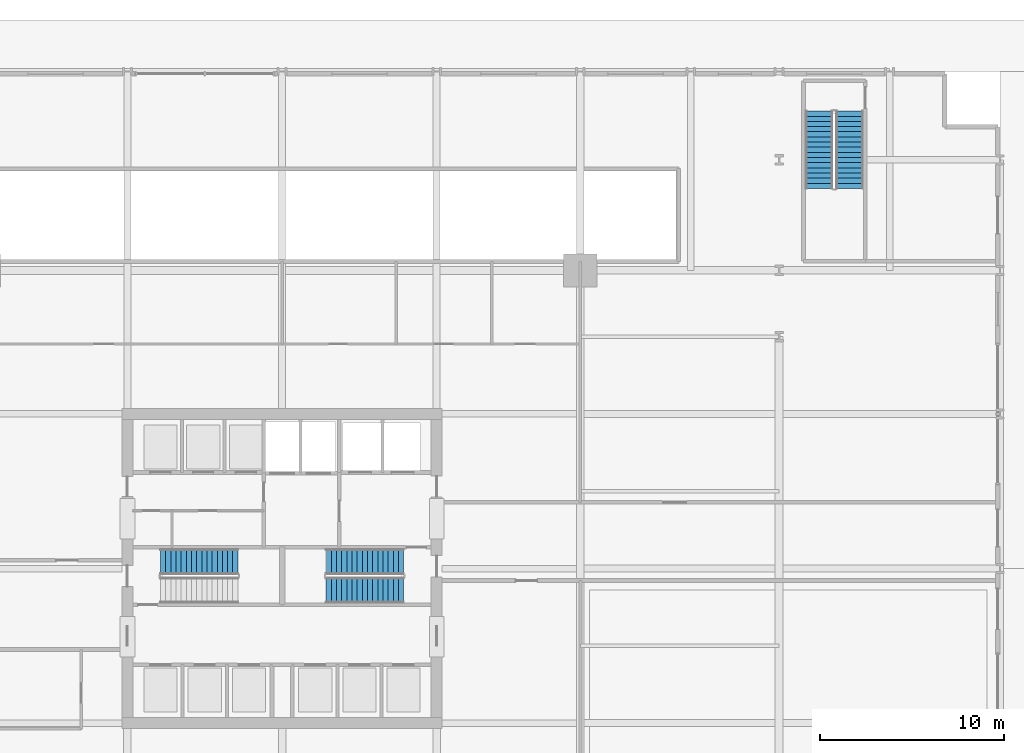
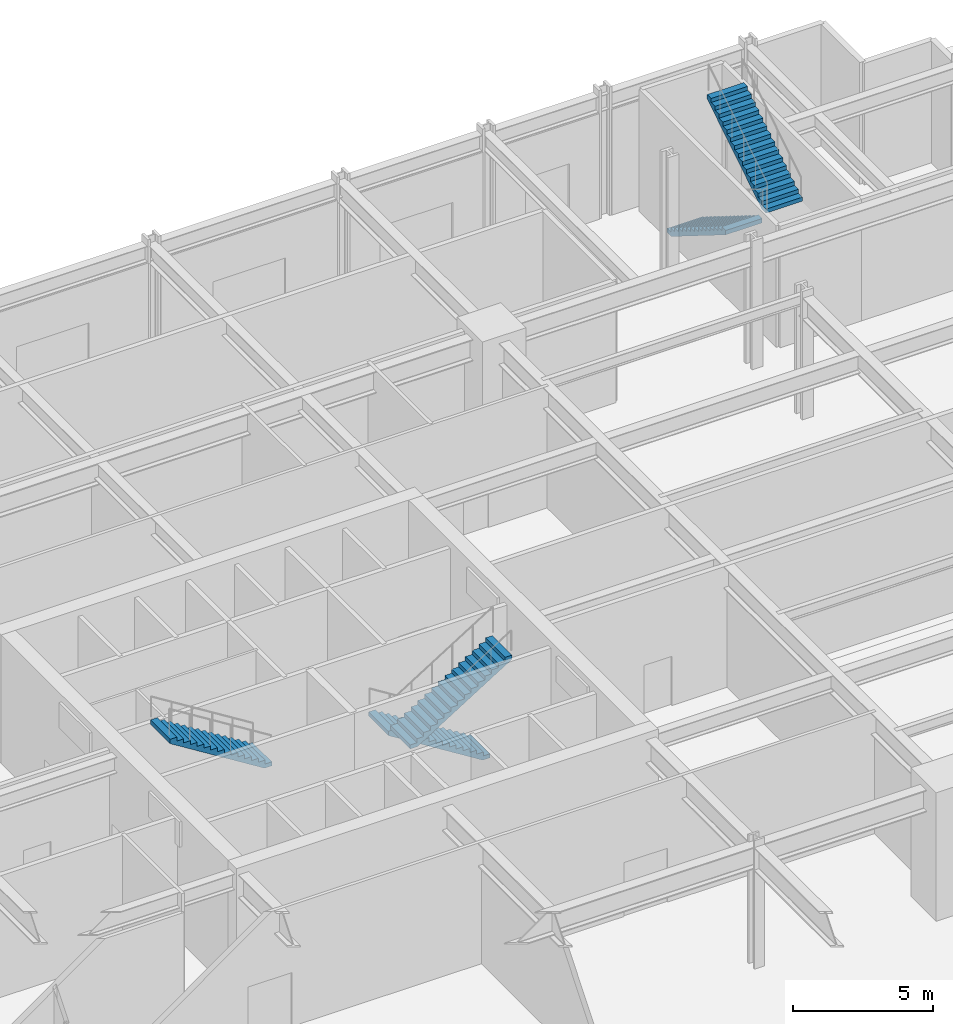
# One storey, part 15 of 21: 5 stair flights, 3 elements without a shape of their own.
"""IFC4 building model written with IfcOpenShell, lengths in metres."""

from ifc_helpers import new_model, si_unit, direction, frame, origin, place, context, subcontext, project, spatial, polyline, outline, extrude, material, type_object, element, aggregate, save


model = new_model("IFC4")

# Units and contexts
model_context = context("Model", 3, precision=1e-05, world=origin(), true_north=direction((0.0, 1.0)))
body_context = subcontext(model_context, "Body", "Model", "MODEL_VIEW")
ifc_project = project(units=[si_unit("LENGTHUNIT", "METRE"), si_unit("AREAUNIT", "SQUARE_METRE"), si_unit("VOLUMEUNIT", "CUBIC_METRE"), si_unit("PLANEANGLEUNIT", "RADIAN"), si_unit("MASSUNIT", "GRAM", prefix="KILO")], contexts=[model_context])

# Site, building, storey
site_placement = place(None, origin())
site = spatial("IfcSite", under=ifc_project, at=site_placement, CompositionType="ELEMENT")
building_placement = place(site_placement, origin())
building = spatial("IfcBuilding", under=site, at=building_placement, Name="Drelvath Grand Hotel", CompositionType="ELEMENT")
storey_placement = place(building_placement, origin())
storey = spatial("IfcBuildingStorey", under=building, at=storey_placement, Name="L00", CompositionType="ELEMENT", Elevation=0.0)

# Stair, stair flight
ifc_material = material(Name="Concrete C40/50", Category="concrete")
stair_type_1 = type_object("IfcStairType", Name="Dogleg Exit Stair W1400-R175.0", PredefinedType="HALF_TURN_STAIR", material=ifc_material)
stair_1_placement = place(storey_placement, origin())
stair_1 = element("IfcStair", 1, at=stair_1_placement, inside=storey, type_object=stair_type_1, Name="L00 Core Exit Stair ST-1", PredefinedType="HALF_TURN_STAIR")
stair_flight_type_1 = type_object("IfcStairFlightType", Name="Concrete Stair Flight W1400-R175.0", PredefinedType="STRAIGHT", material=ifc_material)
stair_flight_1_placement = place(storey_placement, frame((-2.39990234375, 27.3798828125, 2.800048828125), z_axis=(0.0, 0.0, 1.0), x_axis=(-1.0, 0.0, 0.0)))
stair_flight_1 = element("IfcStairFlight", 2, at=stair_flight_1_placement, type_object=stair_flight_type_1, Name="ST-1 flight 2", NumberOfRisers=16, NumberOfTreads=15, PredefinedType="STRAIGHT", RiserHeight=0.175, TreadLength=0.28, context=body_context, shape_type="SweptSolid", body=[
    extrude(outline(polyline([(0.0, 0.0), (0.0, 0.175048828125), (0.280029296875, 0.175048828125), (0.280029296875, 0.35009765625), (0.56005859375, 0.35009765625), (0.56005859375, 0.52490234375), (0.840087890625, 0.52490234375), (0.840087890625, 0.699951171875), (1.1201171875, 0.699951171875), (1.1201171875, 0.875), (1.39990234375, 0.875), (1.39990234375, 1.050048828125), (1.679931640625, 1.050048828125), (1.679931640625, 1.22509765625), (1.9599609375, 1.22509765625), (1.9599609375, 1.39990234375), (2.239990234375, 1.39990234375), (2.239990234375, 1.574951171875), (2.52001953125, 1.574951171875), (2.52001953125, 1.75), (2.800048828125, 1.75), (2.800048828125, 1.925048828125), (3.080078125, 1.925048828125), (3.080078125, 2.10009765625), (3.360107421875, 2.10009765625), (3.360107421875, 2.27490234375), (3.639892578125, 2.27490234375), (3.639892578125, 2.449951171875), (3.919921875, 2.449951171875), (3.919921875, 2.625), (4.199951171875, 2.625), (4.199951171875, 2.800048828125), (4.199951171875, 2.4365234375), (0.3017578125, 0.0), (0.0, 0.0)])), frame((0.0, 0.699951171875, 0.0), z_axis=(0.0, -1.0, 0.0), x_axis=(1.0, 0.0, 0.0)), (0.0, 0.0, 1.0), 1.39990234375),
])
aggregate(stair_1, [stair_flight_1])

# Stair, stair flights
stair_2_placement = place(storey_placement, origin())
stair_2 = element("IfcStair", 3, at=stair_2_placement, inside=storey, type_object=stair_type_1, Name="L00 Core Exit Stair ST-2", PredefinedType="HALF_TURN_STAIR")
stair_flight_2_placement = place(storey_placement, frame((6.60009765625, 27.3798828125, 0.0), z_axis=(0.0, 0.0, 1.0), x_axis=(-1.0, 0.0, 0.0)))
stair_flight_2 = element("IfcStairFlight", 4, at=stair_flight_2_placement, type_object=stair_flight_type_1, Name="ST-2 flight 1", NumberOfRisers=16, NumberOfTreads=15, PredefinedType="STRAIGHT", RiserHeight=0.175, TreadLength=0.28, context=body_context, shape_type="SweptSolid", body=[
    extrude(outline(polyline([(0.0, 0.0), (0.0, 0.175048828125), (0.280029296875, 0.175048828125), (0.280029296875, 0.35009765625), (0.56005859375, 0.35009765625), (0.56005859375, 0.52490234375), (0.840087890625, 0.52490234375), (0.840087890625, 0.699951171875), (1.1201171875, 0.699951171875), (1.1201171875, 0.875), (1.39990234375, 0.875), (1.39990234375, 1.050048828125), (1.679931640625, 1.050048828125), (1.679931640625, 1.22509765625), (1.9599609375, 1.22509765625), (1.9599609375, 1.39990234375), (2.239990234375, 1.39990234375), (2.239990234375, 1.574951171875), (2.52001953125, 1.574951171875), (2.52001953125, 1.75), (2.800048828125, 1.75), (2.800048828125, 1.925048828125), (3.080078125, 1.925048828125), (3.080078125, 2.10009765625), (3.360107421875, 2.10009765625), (3.360107421875, 2.27490234375), (3.639892578125, 2.27490234375), (3.639892578125, 2.449951171875), (3.919921875, 2.449951171875), (3.919921875, 2.625), (4.199951171875, 2.625), (4.199951171875, 2.800048828125), (4.199951171875, 2.4365234375), (0.3017578125, 0.0), (0.0, 0.0)])), frame((0.0, 0.699951171875, 0.0), z_axis=(0.0, -1.0, 0.0), x_axis=(1.0, 0.0, 0.0)), (0.0, 0.0, 1.0), 1.39990234375),
])
stair_flight_3_placement = place(storey_placement, frame((2.39990234375, 25.820068359375, 2.800048828125), z_axis=(0.0, 0.0, 1.0), x_axis=(1.0, 0.0, 0.0)))
stair_flight_3 = element("IfcStairFlight", 5, at=stair_flight_3_placement, type_object=stair_flight_type_1, Name="ST-2 flight 2", NumberOfRisers=16, NumberOfTreads=15, PredefinedType="STRAIGHT", RiserHeight=0.175, TreadLength=0.28, context=body_context, shape_type="SweptSolid", body=[
    extrude(outline(polyline([(0.0, 0.0), (0.0, 0.175048828125), (0.280029296875, 0.175048828125), (0.280029296875, 0.35009765625), (0.56005859375, 0.35009765625), (0.56005859375, 0.52490234375), (0.840087890625, 0.52490234375), (0.840087890625, 0.699951171875), (1.1201171875, 0.699951171875), (1.1201171875, 0.875), (1.39990234375, 0.875), (1.39990234375, 1.050048828125), (1.679931640625, 1.050048828125), (1.679931640625, 1.22509765625), (1.9599609375, 1.22509765625), (1.9599609375, 1.39990234375), (2.239990234375, 1.39990234375), (2.239990234375, 1.574951171875), (2.52001953125, 1.574951171875), (2.52001953125, 1.75), (2.800048828125, 1.75), (2.800048828125, 1.925048828125), (3.080078125, 1.925048828125), (3.080078125, 2.10009765625), (3.360107421875, 2.10009765625), (3.360107421875, 2.27490234375), (3.639892578125, 2.27490234375), (3.639892578125, 2.449951171875), (3.919921875, 2.449951171875), (3.919921875, 2.625), (4.199951171875, 2.625), (4.199951171875, 2.800048828125), (4.199951171875, 2.4365234375), (0.3017578125, 0.0), (0.0, 0.0)])), frame((0.0, 0.699951171875, 0.0), z_axis=(0.0, -1.0, 0.0), x_axis=(1.0, 0.0, 0.0)), (0.0, 0.0, 1.0), 1.39990234375),
])
aggregate(stair_2, [stair_flight_2, stair_flight_3])

stair_type_2 = type_object("IfcStairType", Name="Dogleg Exit Stair W1500-R175.0", PredefinedType="HALF_TURN_STAIR", material=ifc_material)
stair_3_placement = place(storey_placement, origin())
stair_3 = element("IfcStair", 6, at=stair_3_placement, inside=storey, type_object=stair_type_2, Name="L00 Podium Exit Stair ST-4", PredefinedType="HALF_TURN_STAIR")
stair_flight_type_2 = type_object("IfcStairFlightType", Name="Concrete Stair Flight W1500-R175.0", PredefinedType="STRAIGHT", material=ifc_material)
stair_flight_4_placement = place(storey_placement, frame((29.169921875, 51.85009765625, 0.0), z_axis=(0.0, 0.0, 1.0), x_axis=(0.0, -1.0, 0.0)))
stair_flight_4 = element("IfcStairFlight", 7, at=stair_flight_4_placement, type_object=stair_flight_type_2, Name="ST-4 flight 1", NumberOfRisers=16, NumberOfTreads=15, PredefinedType="STRAIGHT", RiserHeight=0.175, TreadLength=0.28, context=body_context, shape_type="SweptSolid", body=[
    extrude(outline(polyline([(0.0, 0.0), (0.0, 0.175048828125), (0.280029296875, 0.175048828125), (0.280029296875, 0.35009765625), (0.56005859375, 0.35009765625), (0.56005859375, 0.52490234375), (0.840087890625, 0.52490234375), (0.840087890625, 0.699951171875), (1.1201171875, 0.699951171875), (1.1201171875, 0.875), (1.39990234375, 0.875), (1.39990234375, 1.050048828125), (1.679931640625, 1.050048828125), (1.679931640625, 1.22509765625), (1.9599609375, 1.22509765625), (1.9599609375, 1.39990234375), (2.239990234375, 1.39990234375), (2.239990234375, 1.574951171875), (2.52001953125, 1.574951171875), (2.52001953125, 1.75), (2.800048828125, 1.75), (2.800048828125, 1.925048828125), (3.080078125, 1.925048828125), (3.080078125, 2.10009765625), (3.360107421875, 2.10009765625), (3.360107421875, 2.27490234375), (3.639892578125, 2.27490234375), (3.639892578125, 2.449951171875), (3.919921875, 2.449951171875), (3.919921875, 2.625), (4.199951171875, 2.625), (4.199951171875, 2.800048828125), (4.199951171875, 2.4365234375), (0.3017578125, 0.0), (0.0, 0.0)])), frame((0.0, 0.75, 0.0), z_axis=(0.0, -1.0, 0.0), x_axis=(1.0, 0.0, 0.0)), (0.0, 0.0, 1.0), 1.5),
])
stair_flight_5_placement = place(storey_placement, frame((30.830078125, 47.64990234375, 2.800048828125), z_axis=(0.0, 0.0, 1.0), x_axis=(0.0, 1.0, 0.0)))
stair_flight_5 = element("IfcStairFlight", 8, at=stair_flight_5_placement, type_object=stair_flight_type_2, Name="ST-4 flight 2", NumberOfRisers=16, NumberOfTreads=15, PredefinedType="STRAIGHT", RiserHeight=0.175, TreadLength=0.28, context=body_context, shape_type="SweptSolid", body=[
    extrude(outline(polyline([(0.0, 0.0), (0.0, 0.175048828125), (0.280029296875, 0.175048828125), (0.280029296875, 0.35009765625), (0.56005859375, 0.35009765625), (0.56005859375, 0.52490234375), (0.840087890625, 0.52490234375), (0.840087890625, 0.699951171875), (1.1201171875, 0.699951171875), (1.1201171875, 0.875), (1.39990234375, 0.875), (1.39990234375, 1.050048828125), (1.679931640625, 1.050048828125), (1.679931640625, 1.22509765625), (1.9599609375, 1.22509765625), (1.9599609375, 1.39990234375), (2.239990234375, 1.39990234375), (2.239990234375, 1.574951171875), (2.52001953125, 1.574951171875), (2.52001953125, 1.75), (2.800048828125, 1.75), (2.800048828125, 1.925048828125), (3.080078125, 1.925048828125), (3.080078125, 2.10009765625), (3.360107421875, 2.10009765625), (3.360107421875, 2.27490234375), (3.639892578125, 2.27490234375), (3.639892578125, 2.449951171875), (3.919921875, 2.449951171875), (3.919921875, 2.625), (4.199951171875, 2.625), (4.199951171875, 2.800048828125), (4.199951171875, 2.4365234375), (0.3017578125, 0.0), (0.0, 0.0)])), frame((0.0, 0.75, 0.0), z_axis=(0.0, -1.0, 0.0), x_axis=(1.0, 0.0, 0.0)), (0.0, 0.0, 1.0), 1.5),
])
aggregate(stair_3, [stair_flight_4, stair_flight_5])

save(model, "model.ifc")
